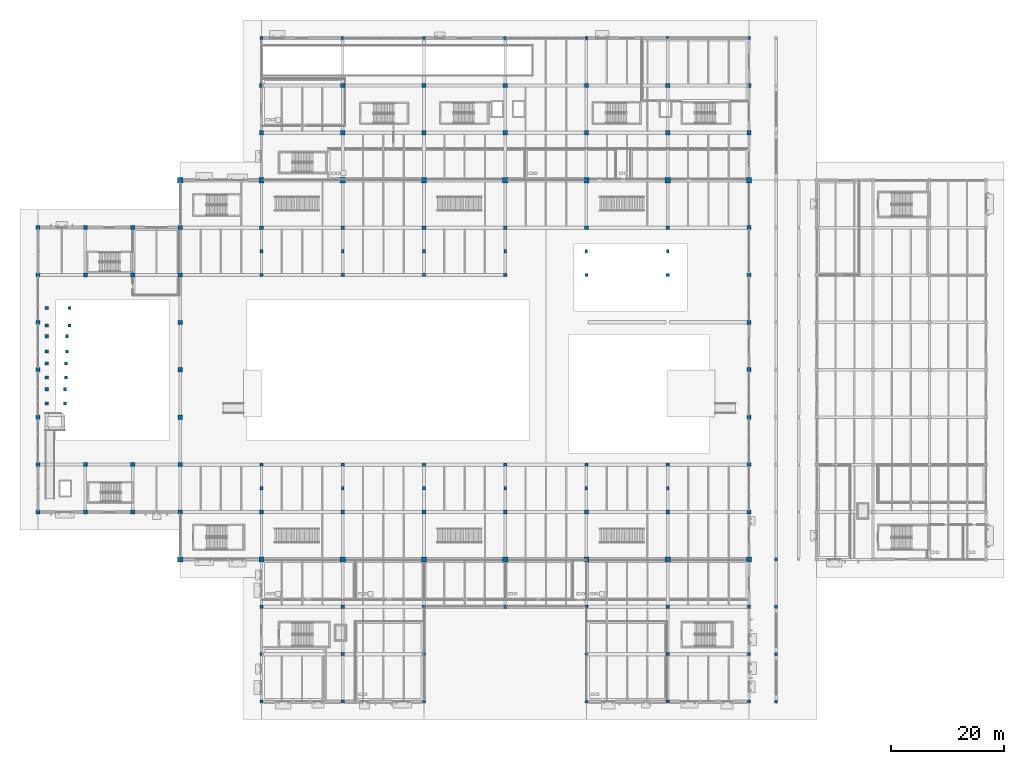
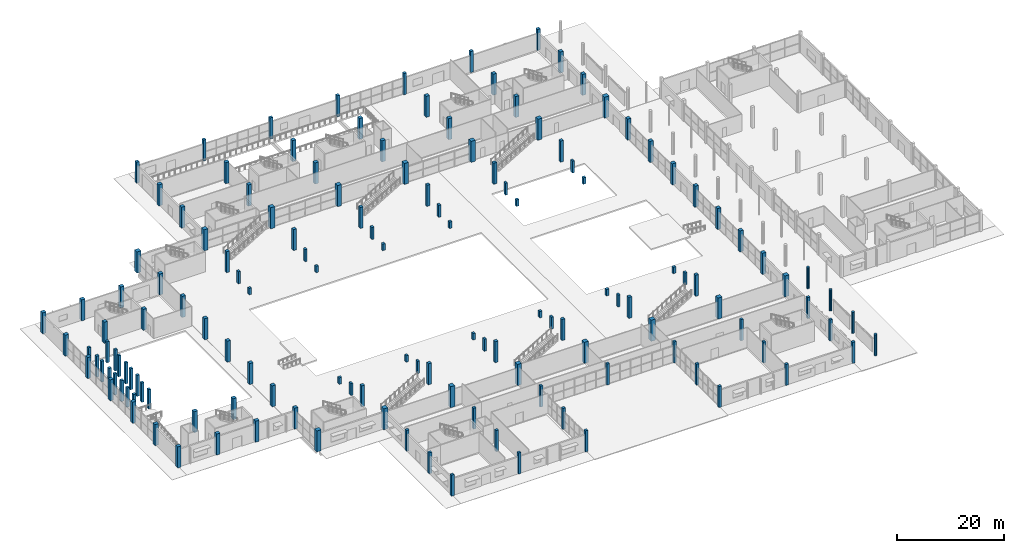
# One storey, part 1 of 130: 141 columns.
"""IFC4 building model written with IfcOpenShell, lengths in metres."""

import ifcopenshell
import ifcopenshell.guid

model = None  # the IFC model being written
_history = None  # IfcOwnerHistory: only IFC2X3 demands one
_inside = {}  # id of a spatial element -> (the spatial element, [elements in it])
_under = {}  # id of a project, library or spatial element -> (it, [spatial elements below it])
_declared = {}  # id of a project -> (the project, [libraries it declares])
_typed = {}  # id of a type object -> (the type object, [elements of that type])
_made_of = {}  # id of a material, layer set ... -> (it, [elements and type objects made of it])


def new_model(schema):
    """Start an empty IFC model of exactly this schema.

    Asked for "IFC4X3", IfcOpenShell would pick the latest addendum, in which some entities
    have other attributes; the version numbers below select the first issue.
    IFC2X3 requires an IfcOwnerHistory on every rooted entity: one is made here for all.
    """
    global model, _history
    if schema == "IFC4X3":
        model = ifcopenshell.file(schema_version=(4, 3, 0, 0))
    else:
        model = ifcopenshell.file(schema=schema)
    _inside.clear()
    _under.clear()
    _declared.clear()
    _typed.clear()
    _made_of.clear()
    _history = None
    if model.schema == "IFC2X3":
        org = make("IfcOrganization", Name="unknown")
        user = make(
            "IfcPersonAndOrganization",
            ThePerson=make("IfcPerson", FamilyName="unknown"),
            TheOrganization=org,
        )
        app = make(
            "IfcApplication",
            ApplicationDeveloper=org,
            Version="unknown",
            ApplicationFullName="unknown",
            ApplicationIdentifier="unknown",
        )
        _history = make(
            "IfcOwnerHistory",
            OwningUser=user,
            OwningApplication=app,
            ChangeAction="ADDED",
            CreationDate=0,
        )
    return model


def make(cls, **values):
    """One entity of the class cls with the attributes given. An attribute that is None is left unset."""
    return model.create_entity(
        cls, **{name: value for name, value in values.items() if value is not None}
    )


def rooted(cls, **values):
    """An entity with a GlobalId (a new one), such as an element, a storey or a relation."""
    return make(cls, GlobalId=ifcopenshell.guid.new(), OwnerHistory=_history, **values)


def si_unit(unit_type, name, prefix=None):
    """IfcSIUnit, for example si_unit("LENGTHUNIT", "METRE", prefix="MILLI")."""
    return make("IfcSIUnit", UnitType=unit_type, Prefix=prefix, Name=name)


def assignment(units):
    """IfcUnitAssignment: the units of a project."""
    return None if units is None else make("IfcUnitAssignment", Units=units)


def point(xyz):
    """IfcCartesianPoint."""
    return None if xyz is None else make("IfcCartesianPoint", Coordinates=xyz)


def direction(xyz):
    """IfcDirection."""
    return None if xyz is None else make("IfcDirection", DirectionRatios=xyz)


def frame(location, z_axis=None, x_axis=None):
    """IfcAxis2Placement3D, a coordinate frame: its origin and axes. An axis left out is left unset."""
    return make(
        "IfcAxis2Placement3D",
        Location=point(location),
        Axis=direction(z_axis),
        RefDirection=direction(x_axis),
    )


def frame_2d(location, x_axis=None):
    """IfcAxis2Placement2D, a coordinate frame in the plane: its origin and x axis."""
    return make(
        "IfcAxis2Placement2D", Location=point(location), RefDirection=direction(x_axis)
    )


def origin():
    """The frame at (0, 0, 0) with its axes left unset."""
    return frame((0.0, 0.0, 0.0))


def origin_2d():
    """The frame at (0, 0) in the plane with its x axis left unset."""
    return frame_2d((0.0, 0.0))


def place(relative_to, where):
    """IfcLocalPlacement: puts the frame where relative to a parent placement (None: the world)."""
    return make(
        "IfcLocalPlacement", PlacementRelTo=relative_to, RelativePlacement=where
    )


def context(
    kind, dimensions, precision=None, world=None, true_north=None, identifier=None
):
    """IfcGeometricRepresentationContext, for example the 3D "Model" context."""
    return make(
        "IfcGeometricRepresentationContext",
        ContextIdentifier=identifier,
        ContextType=kind,
        CoordinateSpaceDimension=dimensions,
        Precision=precision,
        WorldCoordinateSystem=world,
        TrueNorth=true_north,
    )


def subcontext(parent, identifier, kind, view, scale=None):
    """IfcGeometricRepresentationSubContext, for example "Body" below "Model"."""
    return make(
        "IfcGeometricRepresentationSubContext",
        ContextIdentifier=identifier,
        ContextType=kind,
        ParentContext=parent,
        TargetScale=scale,
        TargetView=view,
    )


def project(units=None, contexts=None):
    """IfcProject with its units and contexts."""
    return rooted(
        "IfcProject",
        Name="project",
        RepresentationContexts=contexts,
        UnitsInContext=assignment(units),
    )


def spatial(cls, under=None, at=None, **own):
    """A site, building, storey or space (cls), placed at a placement, below another one or the project."""
    s = rooted(cls, ObjectPlacement=at, **own)
    if under is not None:
        _under.setdefault(under.id(), (under, []))[1].append(s)
    return s


def profile(cls, at=None, kind="AREA", **sizes):
    """A parametric profile (cls). Its sizes go by their IFC names, for example OverallWidth=200.0."""
    return make(cls, ProfileType=kind, Position=at, **sizes)


def rectangle(**sizes):
    """IfcRectangleProfileDef."""
    return profile("IfcRectangleProfileDef", **sizes)


def circle(**sizes):
    """IfcCircleProfileDef."""
    return profile("IfcCircleProfileDef", **sizes)


def extrude(swept, where, along, depth):
    """IfcExtrudedAreaSolid: the profile swept, set in the frame where, extruded along a direction by depth."""
    return make(
        "IfcExtrudedAreaSolid",
        SweptArea=swept,
        Position=where,
        ExtrudedDirection=direction(along),
        Depth=depth,
    )


def shape(context_of_items, identifier, shape_type, items):
    """IfcShapeRepresentation: the items that make up one representation, for example the "Body"."""
    return make(
        "IfcShapeRepresentation",
        ContextOfItems=context_of_items,
        RepresentationIdentifier=identifier,
        RepresentationType=shape_type,
        Items=items,
    )


def material(Name=None, Category=None):
    """IfcMaterial."""
    return make("IfcMaterial", Name=Name, Category=Category)


def material_profile(
    of_material, cross_section, Name=None, Category=None, Priority=None
):
    """IfcMaterialProfile: a cross section and its material."""
    return make(
        "IfcMaterialProfile",
        Name=Name,
        Material=of_material,
        Profile=cross_section,
        Priority=Priority,
        Category=Category,
    )


def profile_set(profiles, Name=None, composite=None):
    """IfcMaterialProfileSet."""
    return make(
        "IfcMaterialProfileSet",
        Name=Name,
        MaterialProfiles=profiles,
        CompositeProfile=composite,
    )


def made_of(thing, what):
    """Note that an element or type object is made of a material, layer set ...; save() writes the relation."""
    if what is not None:
        _made_of.setdefault(what.id(), (what, []))[1].append(thing)
    return thing


def type_object(cls, material=None, **own):
    """A type object (cls), such as IfcWallType, which elements share."""
    return made_of(rooted(cls, **own), material)


def element(
    cls,
    number,
    at=None,
    inside=None,
    cuts=None,
    type_object=None,
    material=None,
    context=None,
    identifier="Body",
    shape_type=None,
    held_by="IfcProductDefinitionShape",
    body=None,
    shapes=None,
    **own,
):
    """One element of the class cls, such as IfcWall. Its Tag is "e" and its number.

    at: its placement. inside: the storey or other place that contains it. cuts: it is an
    opening in that element (IfcRelVoidsElement). A single representation is given by context,
    identifier, shape_type and body (its items); several are given by shapes. held_by: the class
    of the entity that holds the representations. save() writes the other relations.
    """
    e = rooted(cls, Tag="e%d" % number, ObjectPlacement=at, **own)
    if body is not None:
        shapes = [shape(context, identifier, shape_type, body)]
    if shapes is not None:
        e.Representation = make(held_by, Representations=shapes)
    if inside is not None:
        _inside.setdefault(inside.id(), (inside, []))[1].append(e)
    if cuts is not None:
        rooted(
            "IfcRelVoidsElement", RelatingBuildingElement=cuts, RelatedOpeningElement=e
        )
    if type_object is not None:
        _typed.setdefault(type_object.id(), (type_object, []))[1].append(e)
    return made_of(e, material)


def aggregate(whole, parts):
    """IfcRelAggregates: a whole, such as a stair, and the parts it consists of."""
    return rooted("IfcRelAggregates", RelatingObject=whole, RelatedObjects=parts)


def save(model, path):
    """Write the relations noted so far, then the file.

    IfcRelAggregates (storeys below a building ...), IfcRelContainedInSpatialStructure (elements
    in a storey), IfcRelDefinesByType, IfcRelAssociatesMaterial and IfcRelDeclares: one each for
    every whole, place, type object, material and project.
    """
    for whole, parts in _under.values():
        aggregate(whole, parts)
    for where, things in _inside.values():
        rooted(
            "IfcRelContainedInSpatialStructure",
            RelatedElements=things,
            RelatingStructure=where,
        )
    for kind, things in _typed.values():
        rooted("IfcRelDefinesByType", RelatedObjects=things, RelatingType=kind)
    for what, things in _made_of.values():
        rooted("IfcRelAssociatesMaterial", RelatedObjects=things, RelatingMaterial=what)
    for by, libraries in _declared.values():
        rooted("IfcRelDeclares", RelatingContext=by, RelatedDefinitions=libraries)
    model.write(path)


model = new_model("IFC4")

# Units and contexts
model_context = context("Model", 3, precision=1e-05, world=origin(), true_north=direction((0.0, 1.0)))
body_context = subcontext(model_context, "Body", "Model", "MODEL_VIEW")
ifc_project = project(units=[si_unit("LENGTHUNIT", "METRE"), si_unit("AREAUNIT", "SQUARE_METRE"), si_unit("VOLUMEUNIT", "CUBIC_METRE"), si_unit("PLANEANGLEUNIT", "RADIAN"), si_unit("MASSUNIT", "GRAM", prefix="KILO"), si_unit("THERMODYNAMICTEMPERATUREUNIT", "KELVIN")], contexts=[model_context])

# Site, building, storey
site_placement = place(None, origin())
site = spatial("IfcSite", under=ifc_project, at=site_placement, CompositionType="ELEMENT")
building_placement = place(site_placement, origin())
building = spatial("IfcBuilding", under=site, at=building_placement, Name="Nduvali Passage Aquatics Centre", CompositionType="ELEMENT")
storey_placement = place(building_placement, origin())
storey = spatial("IfcBuildingStorey", under=building, at=storey_placement, Name="L00", CompositionType="ELEMENT", Elevation=0.0)

# Columns
ifc_material = material(Name="Concrete C40/50", Category="concrete")
ifc_material_profile_1 = material_profile(ifc_material, rectangle(XDim=0.449951171875, YDim=0.64990234375, at=origin_2d()), Name="RC 450x650")
ifc_profile_set_1 = profile_set([ifc_material_profile_1], Name="Concrete C40/50")
column_type_1 = type_object("IfcColumnType", Name="STR-COL-RC4565", PredefinedType="COLUMN", material=ifc_profile_set_1)
for number, where, z_axis, x_axis, name in (
    (1, (39.60009765625, 37.800048828125, 0.0), (0.0, 0.0, 1.0), (1.0, 0.0, 0.0), "L00 Column C5 (39.6, 37.8)"),
    (2, (39.60009765625, 79.800048828125, 0.0), (0.0, 0.0, 1.0), (1.0, 0.0, 0.0), "L00 Column C5 (39.6, 79.8)"),
    (3, (54.0, 37.800048828125, 0.0), (0.0, 0.0, 1.0), (1.0, 0.0, 0.0), "L00 Column C5 (54.0, 37.8)"),
    (4, (54.0, 79.800048828125, 0.0), (0.0, 0.0, 1.0), (1.0, 0.0, 0.0), "L00 Column C5 (54.0, 79.8)"),
    (5, (68.39990234375, 37.800048828125, 0.0), (0.0, 0.0, 1.0), (1.0, 0.0, 0.0), "L00 Column C5 (68.4, 37.8)"),
    (6, (68.39990234375, 79.800048828125, 0.0), (0.0, 0.0, 1.0), (1.0, 0.0, 0.0), "L00 Column C5 (68.4, 79.8)"),
    (7, (82.800048828125, 37.800048828125, 0.0), (0.0, 0.0, 1.0), (1.0, 0.0, 0.0), "L00 Column C5 (82.8, 37.8)"),
    (8, (82.800048828125, 79.800048828125, 0.0), (0.0, 0.0, 1.0), (1.0, 0.0, 0.0), "L00 Column C5 (82.8, 79.8)"),
    (9, (97.199951171875, 37.800048828125, 0.0), (0.0, 0.0, 1.0), (1.0, 0.0, 0.0), "L00 Column C5 (97.2, 37.8)"),
    (10, (97.199951171875, 79.800048828125, 0.0), (0.0, 0.0, 1.0), (1.0, 0.0, 0.0), "L00 Column C5 (97.2, 79.8)"),
    (11, (111.60009765625, 37.800048828125, 0.0), (0.0, 0.0, 1.0), (1.0, 0.0, 0.0), "L00 Column C5 (111.6, 37.8)"),
    (12, (111.60009765625, 79.800048828125, 0.0), (0.0, 0.0, 1.0), (1.0, 0.0, 0.0), "L00 Column C5 (111.6, 79.8)"),
):
    element("IfcColumn", number, at=place(storey_placement, frame(where, z_axis=z_axis, x_axis=x_axis)), inside=storey, type_object=column_type_1, Name=name, PredefinedType="COLUMN", context=body_context, shape_type="SweptSolid", body=[
        extrude(rectangle(XDim=0.449951171875, YDim=0.64990234375, at=origin_2d()), origin(), (0.0, 0.0, 1.0), 2.75),
    ])
ifc_material_profile_2 = material_profile(ifc_material, rectangle(XDim=0.550048828125, YDim=0.550048828125, at=origin_2d()), Name="RC 550x550")
ifc_profile_set_2 = profile_set([ifc_material_profile_2], Name="Concrete C40/50")
column_type_2 = type_object("IfcColumnType", Name="STR-COL-RC550", PredefinedType="COLUMN", material=ifc_profile_set_2)
for number, where, z_axis, x_axis, name in (
    (13, (1.550048828125, 52.85009765625, 0.0), (0.0, 0.0, 1.0), (1.0, 0.0, 0.0), "L00 Column C4 (1.6, 52.9)"),
    (14, (1.550048828125, 55.35009765625, 0.0), (0.0, 0.0, 1.0), (1.0, 0.0, 0.0), "L00 Column C4 (1.6, 55.4)"),
):
    element("IfcColumn", number, at=place(storey_placement, frame(where, z_axis=z_axis, x_axis=x_axis)), inside=storey, type_object=column_type_2, Name=name, PredefinedType="COLUMN", context=body_context, shape_type="SweptSolid", body=[
        extrude(rectangle(XDim=0.550048828125, YDim=0.550048828125, at=origin_2d()), origin(), (0.0, 0.0, 1.0), 4.419921875),
    ])
for number, where, z_axis, x_axis, name in (
    (15, (1.550048828125, 57.449951171875, 0.0), (0.0, 0.0, 1.0), (1.0, 0.0, 0.0), "L00 Column C4 (1.6, 57.5)"),
    (16, (1.550048828125, 59.949951171875, 0.0), (0.0, 0.0, 1.0), (1.0, 0.0, 0.0), "L00 Column C4 (1.6, 60.0)"),
    (17, (1.550048828125, 62.050048828125, 0.0), (0.0, 0.0, 1.0), (1.0, 0.0, 0.0), "L00 Column C4 (1.6, 62.0)"),
    (18, (1.550048828125, 64.75, 0.0), (0.0, 0.0, 1.0), (1.0, 0.0, 0.0), "L00 Column C4 (1.6, 64.8)"),
    (19, (1.550048828125, 66.64990234375, 0.0), (0.0, 0.0, 1.0), (1.0, 0.0, 0.0), "L00 Column C4 (1.6, 66.7)"),
    (20, (1.550048828125, 69.75, 0.0), (0.0, 0.0, 1.0), (1.0, 0.0, 0.0), "L00 Column C4 (1.6, 69.8)"),
):
    element("IfcColumn", number, at=place(storey_placement, frame(where, z_axis=z_axis, x_axis=x_axis)), inside=storey, type_object=column_type_2, Name=name, PredefinedType="COLUMN", context=body_context, shape_type="SweptSolid", body=[
        extrude(rectangle(XDim=0.550048828125, YDim=0.550048828125, at=origin_2d()), origin(), (0.0, 0.0, 1.0), 4.800048828125),
    ])
for number, where, z_axis, x_axis, name in (
    (21, (4.75, 52.85009765625, 0.0), (0.0, 0.0, 1.0), (1.0, 0.0, 0.0), "L00 Column C4 (4.8, 52.9)"),
    (22, (4.75, 55.35009765625, 0.0), (0.0, 0.0, 1.0), (1.0, 0.0, 0.0), "L00 Column C4 (4.8, 55.4)"),
):
    element("IfcColumn", number, at=place(storey_placement, frame(where, z_axis=z_axis, x_axis=x_axis)), inside=storey, type_object=column_type_2, Name=name, PredefinedType="COLUMN", context=body_context, shape_type="SweptSolid", body=[
        extrude(rectangle(XDim=0.550048828125, YDim=0.550048828125, at=origin_2d()), origin(), (0.0, 0.0, 1.0), 4.419921875),
    ])
for number, where, z_axis, x_axis, name in (
    (23, (4.949951171875, 57.449951171875, 0.0), (0.0, 0.0, 1.0), (1.0, 0.0, 0.0), "L00 Column C4 (5.0, 57.5)"),
    (24, (4.949951171875, 59.949951171875, 0.0), (0.0, 0.0, 1.0), (1.0, 0.0, 0.0), "L00 Column C4 (5.0, 60.0)"),
    (25, (5.14990234375, 62.050048828125, 0.0), (0.0, 0.0, 1.0), (1.0, 0.0, 0.0), "L00 Column C4 (5.2, 62.0)"),
    (26, (5.14990234375, 64.75, 0.0), (0.0, 0.0, 1.0), (1.0, 0.0, 0.0), "L00 Column C4 (5.2, 64.8)"),
    (27, (5.550048828125, 66.64990234375, 0.0), (0.0, 0.0, 1.0), (1.0, 0.0, 0.0), "L00 Column C4 (5.5, 66.7)"),
    (28, (5.550048828125, 69.75, 0.0), (0.0, 0.0, 1.0), (1.0, 0.0, 0.0), "L00 Column C4 (5.5, 69.8)"),
):
    element("IfcColumn", number, at=place(storey_placement, frame(where, z_axis=z_axis, x_axis=x_axis)), inside=storey, type_object=column_type_2, Name=name, PredefinedType="COLUMN", context=body_context, shape_type="SweptSolid", body=[
        extrude(rectangle(XDim=0.550048828125, YDim=0.550048828125, at=origin_2d()), origin(), (0.0, 0.0, 1.0), 4.800048828125),
    ])
for number, where, z_axis, x_axis, name in (
    (29, (39.60009765625, 42.0, 0.0), (0.0, 0.0, 1.0), (1.0, 0.0, 0.0), "L00 Column C4 (39.6, 42.0)"),
    (30, (39.60009765625, 75.60009765625, 0.0), (0.0, 0.0, 1.0), (1.0, 0.0, 0.0), "L00 Column C4 (39.6, 75.6)"),
):
    element("IfcColumn", number, at=place(storey_placement, frame(where, z_axis=z_axis, x_axis=x_axis)), inside=storey, type_object=column_type_2, Name=name, PredefinedType="COLUMN", context=body_context, shape_type="SweptSolid", body=[
        extrude(rectangle(XDim=0.550048828125, YDim=0.550048828125, at=origin_2d()), origin(), (0.0, 0.0, 1.0), 1.47998046875),
    ])
for number, where, z_axis, x_axis, name in (
    (31, (54.0, 8.39990234375, 0.0), (0.0, 0.0, 1.0), (1.0, 0.0, 0.0), "L00 Column C4 (54.0, 8.4)"),
    (32, (54.0, 16.800048828125, 0.0), (0.0, 0.0, 1.0), (1.0, 0.0, 0.0), "L00 Column C4 (54.0, 16.8)"),
):
    element("IfcColumn", number, at=place(storey_placement, frame(where, z_axis=z_axis, x_axis=x_axis)), inside=storey, type_object=column_type_2, Name=name, PredefinedType="COLUMN", context=body_context, shape_type="SweptSolid", body=[
        extrude(rectangle(XDim=0.550048828125, YDim=0.550048828125, at=origin_2d()), origin(), (0.0, 0.0, 1.0), 4.800048828125),
    ])
for number, where, z_axis, x_axis, name in (
    (33, (54.0, 42.0, 0.0), (0.0, 0.0, 1.0), (1.0, 0.0, 0.0), "L00 Column C4 (54.0, 42.0)"),
    (34, (54.0, 75.60009765625, 0.0), (0.0, 0.0, 1.0), (1.0, 0.0, 0.0), "L00 Column C4 (54.0, 75.6)"),
    (35, (68.39990234375, 42.0, 0.0), (0.0, 0.0, 1.0), (1.0, 0.0, 0.0), "L00 Column C4 (68.4, 42.0)"),
    (36, (68.39990234375, 75.60009765625, 0.0), (0.0, 0.0, 1.0), (1.0, 0.0, 0.0), "L00 Column C4 (68.4, 75.6)"),
    (37, (82.800048828125, 42.0, 0.0), (0.0, 0.0, 1.0), (1.0, 0.0, 0.0), "L00 Column C4 (82.8, 42.0)"),
    (38, (82.800048828125, 75.60009765625, 0.0), (0.0, 0.0, 1.0), (1.0, 0.0, 0.0), "L00 Column C4 (82.8, 75.6)"),
    (39, (97.199951171875, 42.0, 0.0), (0.0, 0.0, 1.0), (1.0, 0.0, 0.0), "L00 Column C4 (97.2, 42.0)"),
    (40, (97.199951171875, 75.60009765625, 0.0), (0.0, 0.0, 1.0), (1.0, 0.0, 0.0), "L00 Column C4 (97.2, 75.6)"),
):
    element("IfcColumn", number, at=place(storey_placement, frame(where, z_axis=z_axis, x_axis=x_axis)), inside=storey, type_object=column_type_2, Name=name, PredefinedType="COLUMN", context=body_context, shape_type="SweptSolid", body=[
        extrude(rectangle(XDim=0.550048828125, YDim=0.550048828125, at=origin_2d()), origin(), (0.0, 0.0, 1.0), 1.47998046875),
    ])
for number, where, z_axis, x_axis, name in (
    (41, (111.60009765625, 8.39990234375, 0.0), (0.0, 0.0, 1.0), (1.0, 0.0, 0.0), "L00 Column C4 (111.6, 8.4)"),
    (42, (111.60009765625, 16.800048828125, 0.0), (0.0, 0.0, 1.0), (1.0, 0.0, 0.0), "L00 Column C4 (111.6, 16.8)"),
):
    element("IfcColumn", number, at=place(storey_placement, frame(where, z_axis=z_axis, x_axis=x_axis)), inside=storey, type_object=column_type_2, Name=name, PredefinedType="COLUMN", context=body_context, shape_type="SweptSolid", body=[
        extrude(rectangle(XDim=0.550048828125, YDim=0.550048828125, at=origin_2d()), origin(), (0.0, 0.0, 1.0), 4.800048828125),
    ])
for number, where, z_axis, x_axis, name in (
    (43, (111.60009765625, 42.0, 0.0), (0.0, 0.0, 1.0), (1.0, 0.0, 0.0), "L00 Column C4 (111.6, 42.0)"),
    (44, (111.60009765625, 75.60009765625, 0.0), (0.0, 0.0, 1.0), (1.0, 0.0, 0.0), "L00 Column C4 (111.6, 75.6)"),
):
    element("IfcColumn", number, at=place(storey_placement, frame(where, z_axis=z_axis, x_axis=x_axis)), inside=storey, type_object=column_type_2, Name=name, PredefinedType="COLUMN", context=body_context, shape_type="SweptSolid", body=[
        extrude(rectangle(XDim=0.550048828125, YDim=0.550048828125, at=origin_2d()), origin(), (0.0, 0.0, 1.0), 1.47998046875),
    ])
ifc_material_profile_3 = material_profile(ifc_material, rectangle(XDim=0.550048828125, YDim=0.550048828125, at=origin_2d()), Name="RC 550x550")
ifc_profile_set_3 = profile_set([ifc_material_profile_3], Name="Concrete C40/50")
column_type_3 = type_object("IfcColumnType", Name="STR-COL-RC550-EXT", PredefinedType="COLUMN", material=ifc_profile_set_3)
for number, where, z_axis, x_axis, name in (
    (45, (39.60009765625, 0.0, 0.0), (0.0, 0.0, 1.0), (1.0, 0.0, 0.0), "L00 Column C4E (39.6, 0.0)"),
    (46, (39.60009765625, 8.39990234375, 0.0), (0.0, 0.0, 1.0), (1.0, 0.0, 0.0), "L00 Column C4E (39.6, 8.4)"),
    (47, (39.60009765625, 16.800048828125, 0.0), (0.0, 0.0, 1.0), (1.0, 0.0, 0.0), "L00 Column C4E (39.6, 16.8)"),
    (48, (54.0, 0.0, 0.0), (0.0, 0.0, 1.0), (1.0, 0.0, 0.0), "L00 Column C4E (54.0, 0.0)"),
    (49, (68.39990234375, 0.0, 0.0), (0.0, 0.0, 1.0), (1.0, 0.0, 0.0), "L00 Column C4E (68.4, 0.0)"),
    (50, (68.39990234375, 8.39990234375, 0.0), (0.0, 0.0, 1.0), (1.0, 0.0, 0.0), "L00 Column C4E (68.4, 8.4)"),
    (51, (68.39990234375, 16.800048828125, 0.0), (0.0, 0.0, 1.0), (1.0, 0.0, 0.0), "L00 Column C4E (68.4, 16.8)"),
    (52, (82.800048828125, 16.800048828125, 0.0), (0.0, 0.0, 1.0), (1.0, 0.0, 0.0), "L00 Column C4E (82.8, 16.8)"),
    (53, (97.199951171875, 0.0, 0.0), (0.0, 0.0, 1.0), (1.0, 0.0, 0.0), "L00 Column C4E (97.2, 0.0)"),
    (54, (97.199951171875, 8.39990234375, 0.0), (0.0, 0.0, 1.0), (1.0, 0.0, 0.0), "L00 Column C4E (97.2, 8.4)"),
    (55, (97.199951171875, 16.800048828125, 0.0), (0.0, 0.0, 1.0), (1.0, 0.0, 0.0), "L00 Column C4E (97.2, 16.8)"),
    (56, (111.60009765625, 0.0, 0.0), (0.0, 0.0, 1.0), (1.0, 0.0, 0.0), "L00 Column C4E (111.6, 0.0)"),
    (57, (126.0, 0.0, 0.0), (0.0, 0.0, 1.0), (1.0, 0.0, 0.0), "L00 Column C4E (126.0, 0.0)"),
    (58, (126.0, 8.39990234375, 0.0), (0.0, 0.0, 1.0), (1.0, 0.0, 0.0), "L00 Column C4E (126.0, 8.4)"),
    (59, (126.0, 16.800048828125, 0.0), (0.0, 0.0, 1.0), (1.0, 0.0, 0.0), "L00 Column C4E (126.0, 16.8)"),
):
    element("IfcColumn", number, at=place(storey_placement, frame(where, z_axis=z_axis, x_axis=x_axis)), inside=storey, type_object=column_type_3, Name=name, PredefinedType="COLUMN", context=body_context, shape_type="SweptSolid", body=[
        extrude(rectangle(XDim=0.550048828125, YDim=0.550048828125, at=origin_2d()), origin(), (0.0, 0.0, 1.0), 4.800048828125),
    ])
ifc_material_profile_4 = material_profile(ifc_material, rectangle(XDim=0.60009765625, YDim=0.60009765625, at=origin_2d()), Name="RC 600x600")
ifc_profile_set_4 = profile_set([ifc_material_profile_4], Name="Concrete C40/50")
column_type_4 = type_object("IfcColumnType", Name="STR-COL-RC600-EXT", PredefinedType="COLUMN", material=ifc_profile_set_4)
for number, where, z_axis, x_axis, name in (
    (60, (39.60009765625, 117.60009765625, 0.0), (0.0, 0.0, 1.0), (1.0, 0.0, 0.0), "L00 Column C3AE (39.6, 117.6)"),
    (61, (54.0, 117.60009765625, 0.0), (0.0, 0.0, 1.0), (1.0, 0.0, 0.0), "L00 Column C3AE (54.0, 117.6)"),
    (62, (68.39990234375, 117.60009765625, 0.0), (0.0, 0.0, 1.0), (1.0, 0.0, 0.0), "L00 Column C3AE (68.4, 117.6)"),
    (63, (82.800048828125, 117.60009765625, 0.0), (0.0, 0.0, 1.0), (1.0, 0.0, 0.0), "L00 Column C3AE (82.8, 117.6)"),
    (64, (97.199951171875, 117.60009765625, 0.0), (0.0, 0.0, 1.0), (1.0, 0.0, 0.0), "L00 Column C3AE (97.2, 117.6)"),
    (65, (111.60009765625, 117.60009765625, 0.0), (0.0, 0.0, 1.0), (1.0, 0.0, 0.0), "L00 Column C3AE (111.6, 117.6)"),
    (66, (126.0, 117.60009765625, 0.0), (0.0, 0.0, 1.0), (1.0, 0.0, 0.0), "L00 Column C3AE (126.0, 117.6)"),
):
    element("IfcColumn", number, at=place(storey_placement, frame(where, z_axis=z_axis, x_axis=x_axis)), inside=storey, type_object=column_type_4, Name=name, PredefinedType="COLUMN", context=body_context, shape_type="SweptSolid", body=[
        extrude(rectangle(XDim=0.60009765625, YDim=0.60009765625, at=origin_2d()), origin(), (0.0, 0.0, 1.0), 4.800048828125),
    ])
ifc_material_profile_5 = material_profile(ifc_material, rectangle(XDim=0.64990234375, YDim=0.64990234375, at=origin_2d()), Name="RC 650x650")
ifc_profile_set_5 = profile_set([ifc_material_profile_5], Name="Concrete C40/50")
column_type_5 = type_object("IfcColumnType", Name="STR-COL-RC650", PredefinedType="COLUMN", material=ifc_profile_set_5)
for number, where, z_axis, x_axis, name in (
    (67, (39.60009765625, 33.60009765625, 0.0), (0.0, 0.0, 1.0), (1.0, 0.0, 0.0), "L00 Column C3 (39.6, 33.6)"),
    (68, (39.60009765625, 84.0, 0.0), (0.0, 0.0, 1.0), (1.0, 0.0, 0.0), "L00 Column C3 (39.6, 84.0)"),
    (69, (54.0, 33.60009765625, 0.0), (0.0, 0.0, 1.0), (1.0, 0.0, 0.0), "L00 Column C3 (54.0, 33.6)"),
    (70, (54.0, 84.0, 0.0), (0.0, 0.0, 1.0), (1.0, 0.0, 0.0), "L00 Column C3 (54.0, 84.0)"),
    (71, (68.39990234375, 33.60009765625, 0.0), (0.0, 0.0, 1.0), (1.0, 0.0, 0.0), "L00 Column C3 (68.4, 33.6)"),
    (72, (68.39990234375, 84.0, 0.0), (0.0, 0.0, 1.0), (1.0, 0.0, 0.0), "L00 Column C3 (68.4, 84.0)"),
    (73, (82.800048828125, 33.60009765625, 0.0), (0.0, 0.0, 1.0), (1.0, 0.0, 0.0), "L00 Column C3 (82.8, 33.6)"),
    (74, (82.800048828125, 84.0, 0.0), (0.0, 0.0, 1.0), (1.0, 0.0, 0.0), "L00 Column C3 (82.8, 84.0)"),
    (75, (97.199951171875, 33.60009765625, 0.0), (0.0, 0.0, 1.0), (1.0, 0.0, 0.0), "L00 Column C3 (97.2, 33.6)"),
    (76, (97.199951171875, 84.0, 0.0), (0.0, 0.0, 1.0), (1.0, 0.0, 0.0), "L00 Column C3 (97.2, 84.0)"),
    (77, (111.60009765625, 33.60009765625, 0.0), (0.0, 0.0, 1.0), (1.0, 0.0, 0.0), "L00 Column C3 (111.6, 33.6)"),
    (78, (111.60009765625, 84.0, 0.0), (0.0, 0.0, 1.0), (1.0, 0.0, 0.0), "L00 Column C3 (111.6, 84.0)"),
):
    element("IfcColumn", number, at=place(storey_placement, frame(where, z_axis=z_axis, x_axis=x_axis)), inside=storey, type_object=column_type_5, Name=name, PredefinedType="COLUMN", context=body_context, shape_type="SweptSolid", body=[
        extrude(rectangle(XDim=0.64990234375, YDim=0.64990234375, at=origin_2d()), origin(), (0.0, 0.0, 1.0), 4.800048828125),
    ])
ifc_material_profile_6 = material_profile(ifc_material, rectangle(XDim=0.75, YDim=0.75, at=origin_2d()), Name="RC 750x750")
ifc_profile_set_6 = profile_set([ifc_material_profile_6], Name="Concrete C40/50")
column_type_6 = type_object("IfcColumnType", Name="STR-COL-RC750", PredefinedType="COLUMN", material=ifc_profile_set_6)
for number, where, z_axis, x_axis, name in (
    (79, (8.39990234375, 42.0, 0.0), (0.0, 0.0, 1.0), (1.0, 0.0, 0.0), "L00 Column C2 (8.4, 42.0)"),
    (80, (8.39990234375, 75.60009765625, 0.0), (0.0, 0.0, 1.0), (1.0, 0.0, 0.0), "L00 Column C2 (8.4, 75.6)"),
    (81, (16.800048828125, 42.0, 0.0), (0.0, 0.0, 1.0), (1.0, 0.0, 0.0), "L00 Column C2 (16.8, 42.0)"),
    (82, (16.800048828125, 75.60009765625, 0.0), (0.0, 0.0, 1.0), (1.0, 0.0, 0.0), "L00 Column C2 (16.8, 75.6)"),
    (83, (25.199951171875, 33.60009765625, 0.0), (0.0, 0.0, 1.0), (1.0, 0.0, 0.0), "L00 Column C2 (25.2, 33.6)"),
    (84, (25.199951171875, 42.0, 0.0), (0.0, 0.0, 1.0), (1.0, 0.0, 0.0), "L00 Column C2 (25.2, 42.0)"),
    (85, (25.199951171875, 50.39990234375, 0.0), (0.0, 0.0, 1.0), (1.0, 0.0, 0.0), "L00 Column C2 (25.2, 50.4)"),
    (86, (25.199951171875, 58.800048828125, 0.0), (0.0, 0.0, 1.0), (1.0, 0.0, 0.0), "L00 Column C2 (25.2, 58.8)"),
    (87, (25.199951171875, 67.199951171875, 0.0), (0.0, 0.0, 1.0), (1.0, 0.0, 0.0), "L00 Column C2 (25.2, 67.2)"),
    (88, (25.199951171875, 75.60009765625, 0.0), (0.0, 0.0, 1.0), (1.0, 0.0, 0.0), "L00 Column C2 (25.2, 75.6)"),
    (89, (25.199951171875, 84.0, 0.0), (0.0, 0.0, 1.0), (1.0, 0.0, 0.0), "L00 Column C2 (25.2, 84.0)"),
    (90, (54.0, 100.800048828125, 0.0), (0.0, 0.0, 1.0), (1.0, 0.0, 0.0), "L00 Column C2 (54.0, 100.8)"),
    (91, (54.0, 109.199951171875, 0.0), (0.0, 0.0, 1.0), (1.0, 0.0, 0.0), "L00 Column C2 (54.0, 109.2)"),
    (92, (68.39990234375, 100.800048828125, 0.0), (0.0, 0.0, 1.0), (1.0, 0.0, 0.0), "L00 Column C2 (68.4, 100.8)"),
    (93, (68.39990234375, 109.199951171875, 0.0), (0.0, 0.0, 1.0), (1.0, 0.0, 0.0), "L00 Column C2 (68.4, 109.2)"),
    (94, (82.800048828125, 100.800048828125, 0.0), (0.0, 0.0, 1.0), (1.0, 0.0, 0.0), "L00 Column C2 (82.8, 100.8)"),
    (95, (82.800048828125, 109.199951171875, 0.0), (0.0, 0.0, 1.0), (1.0, 0.0, 0.0), "L00 Column C2 (82.8, 109.2)"),
    (96, (97.199951171875, 100.800048828125, 0.0), (0.0, 0.0, 1.0), (1.0, 0.0, 0.0), "L00 Column C2 (97.2, 100.8)"),
    (97, (97.199951171875, 109.199951171875, 0.0), (0.0, 0.0, 1.0), (1.0, 0.0, 0.0), "L00 Column C2 (97.2, 109.2)"),
    (98, (111.60009765625, 100.800048828125, 0.0), (0.0, 0.0, 1.0), (1.0, 0.0, 0.0), "L00 Column C2 (111.6, 100.8)"),
    (99, (111.60009765625, 109.199951171875, 0.0), (0.0, 0.0, 1.0), (1.0, 0.0, 0.0), "L00 Column C2 (111.6, 109.2)"),
):
    element("IfcColumn", number, at=place(storey_placement, frame(where, z_axis=z_axis, x_axis=x_axis)), inside=storey, type_object=column_type_6, Name=name, PredefinedType="COLUMN", context=body_context, shape_type="SweptSolid", body=[
        extrude(rectangle(XDim=0.75, YDim=0.75, at=origin_2d()), origin(), (0.0, 0.0, 1.0), 4.800048828125),
    ])
ifc_material_profile_7 = material_profile(ifc_material, rectangle(XDim=0.75, YDim=0.75, at=origin_2d()), Name="RC 750x750")
ifc_profile_set_7 = profile_set([ifc_material_profile_7], Name="Concrete C40/50")
column_type_7 = type_object("IfcColumnType", Name="STR-COL-RC750-EXT", PredefinedType="COLUMN", material=ifc_profile_set_7)
for number, where, z_axis, x_axis, name in (
    (100, (0.0, 33.60009765625, 0.0), (0.0, 0.0, 1.0), (1.0, 0.0, 0.0), "L00 Column C2E (0.0, 33.6)"),
    (101, (0.0, 42.0, 0.0), (0.0, 0.0, 1.0), (1.0, 0.0, 0.0), "L00 Column C2E (0.0, 42.0)"),
    (102, (0.0, 50.39990234375, 0.0), (0.0, 0.0, 1.0), (1.0, 0.0, 0.0), "L00 Column C2E (0.0, 50.4)"),
    (103, (0.0, 58.800048828125, 0.0), (0.0, 0.0, 1.0), (1.0, 0.0, 0.0), "L00 Column C2E (0.0, 58.8)"),
    (104, (0.0, 67.199951171875, 0.0), (0.0, 0.0, 1.0), (1.0, 0.0, 0.0), "L00 Column C2E (0.0, 67.2)"),
    (105, (0.0, 75.60009765625, 0.0), (0.0, 0.0, 1.0), (1.0, 0.0, 0.0), "L00 Column C2E (0.0, 75.6)"),
    (106, (0.0, 84.0, 0.0), (0.0, 0.0, 1.0), (1.0, 0.0, 0.0), "L00 Column C2E (0.0, 84.0)"),
    (107, (8.39990234375, 33.60009765625, 0.0), (0.0, 0.0, 1.0), (1.0, 0.0, 0.0), "L00 Column C2E (8.4, 33.6)"),
    (108, (8.39990234375, 84.0, 0.0), (0.0, 0.0, 1.0), (1.0, 0.0, 0.0), "L00 Column C2E (8.4, 84.0)"),
    (109, (16.800048828125, 33.60009765625, 0.0), (0.0, 0.0, 1.0), (1.0, 0.0, 0.0), "L00 Column C2E (16.8, 33.6)"),
    (110, (16.800048828125, 84.0, 0.0), (0.0, 0.0, 1.0), (1.0, 0.0, 0.0), "L00 Column C2E (16.8, 84.0)"),
    (111, (39.60009765625, 100.800048828125, 0.0), (0.0, 0.0, 1.0), (1.0, 0.0, 0.0), "L00 Column C2E (39.6, 100.8)"),
    (112, (39.60009765625, 109.199951171875, 0.0), (0.0, 0.0, 1.0), (1.0, 0.0, 0.0), "L00 Column C2E (39.6, 109.2)"),
    (113, (126.0, 33.60009765625, 0.0), (0.0, 0.0, 1.0), (1.0, 0.0, 0.0), "L00 Column C2E (126.0, 33.6)"),
    (114, (126.0, 42.0, 0.0), (0.0, 0.0, 1.0), (1.0, 0.0, 0.0), "L00 Column C2E (126.0, 42.0)"),
    (115, (126.0, 50.39990234375, 0.0), (0.0, 0.0, 1.0), (1.0, 0.0, 0.0), "L00 Column C2E (126.0, 50.4)"),
    (116, (126.0, 58.800048828125, 0.0), (0.0, 0.0, 1.0), (1.0, 0.0, 0.0), "L00 Column C2E (126.0, 58.8)"),
    (117, (126.0, 67.199951171875, 0.0), (0.0, 0.0, 1.0), (1.0, 0.0, 0.0), "L00 Column C2E (126.0, 67.2)"),
    (118, (126.0, 75.60009765625, 0.0), (0.0, 0.0, 1.0), (1.0, 0.0, 0.0), "L00 Column C2E (126.0, 75.6)"),
    (119, (126.0, 84.0, 0.0), (0.0, 0.0, 1.0), (1.0, 0.0, 0.0), "L00 Column C2E (126.0, 84.0)"),
    (120, (126.0, 100.800048828125, 0.0), (0.0, 0.0, 1.0), (1.0, 0.0, 0.0), "L00 Column C2E (126.0, 100.8)"),
    (121, (126.0, 109.199951171875, 0.0), (0.0, 0.0, 1.0), (1.0, 0.0, 0.0), "L00 Column C2E (126.0, 109.2)"),
):
    element("IfcColumn", number, at=place(storey_placement, frame(where, z_axis=z_axis, x_axis=x_axis)), inside=storey, type_object=column_type_7, Name=name, PredefinedType="COLUMN", context=body_context, shape_type="SweptSolid", body=[
        extrude(rectangle(XDim=0.75, YDim=0.75, at=origin_2d()), origin(), (0.0, 0.0, 1.0), 4.800048828125),
    ])
ifc_material_profile_8 = material_profile(ifc_material, rectangle(XDim=0.89990234375, YDim=0.89990234375, at=origin_2d()), Name="RC 900x900")
ifc_profile_set_8 = profile_set([ifc_material_profile_8], Name="Concrete C40/50")
column_type_8 = type_object("IfcColumnType", Name="STR-COL-RC900-EXT", PredefinedType="COLUMN", material=ifc_profile_set_8)
for number, where, z_axis, x_axis, name in (
    (122, (25.199951171875, 25.199951171875, 0.0), (0.0, 0.0, 1.0), (1.0, 0.0, 0.0), "L00 Column C1E (25.2, 25.2)"),
    (123, (25.199951171875, 92.39990234375, 0.0), (0.0, 0.0, 1.0), (1.0, 0.0, 0.0), "L00 Column C1E (25.2, 92.4)"),
    (124, (39.60009765625, 25.199951171875, 0.0), (0.0, 0.0, 1.0), (1.0, 0.0, 0.0), "L00 Column C1E (39.6, 25.2)"),
    (125, (39.60009765625, 92.39990234375, 0.0), (0.0, 0.0, 1.0), (1.0, 0.0, 0.0), "L00 Column C1E (39.6, 92.4)"),
    (126, (54.0, 25.199951171875, 0.0), (0.0, 0.0, 1.0), (1.0, 0.0, 0.0), "L00 Column C1E (54.0, 25.2)"),
    (127, (54.0, 92.39990234375, 0.0), (0.0, 0.0, 1.0), (1.0, 0.0, 0.0), "L00 Column C1E (54.0, 92.4)"),
    (128, (68.39990234375, 25.199951171875, 0.0), (0.0, 0.0, 1.0), (1.0, 0.0, 0.0), "L00 Column C1E (68.4, 25.2)"),
    (129, (68.39990234375, 92.39990234375, 0.0), (0.0, 0.0, 1.0), (1.0, 0.0, 0.0), "L00 Column C1E (68.4, 92.4)"),
    (130, (82.800048828125, 25.199951171875, 0.0), (0.0, 0.0, 1.0), (1.0, 0.0, 0.0), "L00 Column C1E (82.8, 25.2)"),
    (131, (82.800048828125, 92.39990234375, 0.0), (0.0, 0.0, 1.0), (1.0, 0.0, 0.0), "L00 Column C1E (82.8, 92.4)"),
    (132, (97.199951171875, 25.199951171875, 0.0), (0.0, 0.0, 1.0), (1.0, 0.0, 0.0), "L00 Column C1E (97.2, 25.2)"),
    (133, (97.199951171875, 92.39990234375, 0.0), (0.0, 0.0, 1.0), (1.0, 0.0, 0.0), "L00 Column C1E (97.2, 92.4)"),
    (134, (111.60009765625, 25.199951171875, 0.0), (0.0, 0.0, 1.0), (1.0, 0.0, 0.0), "L00 Column C1E (111.6, 25.2)"),
    (135, (111.60009765625, 92.39990234375, 0.0), (0.0, 0.0, 1.0), (1.0, 0.0, 0.0), "L00 Column C1E (111.6, 92.4)"),
    (136, (126.0, 25.199951171875, 0.0), (0.0, 0.0, 1.0), (1.0, 0.0, 0.0), "L00 Column C1E (126.0, 25.2)"),
    (137, (126.0, 92.39990234375, 0.0), (0.0, 0.0, 1.0), (1.0, 0.0, 0.0), "L00 Column C1E (126.0, 92.4)"),
):
    element("IfcColumn", number, at=place(storey_placement, frame(where, z_axis=z_axis, x_axis=x_axis)), inside=storey, type_object=column_type_8, Name=name, PredefinedType="COLUMN", context=body_context, shape_type="SweptSolid", body=[
        extrude(rectangle(XDim=0.89990234375, YDim=0.89990234375, at=origin_2d()), origin(), (0.0, 0.0, 1.0), 4.800048828125),
    ])
ifc_material_profile_9 = material_profile(ifc_material, circle(Radius=0.300048828125, at=origin_2d()), Name="RC D600")
ifc_profile_set_9 = profile_set([ifc_material_profile_9], Name="Concrete C40/50")
column_type_9 = type_object("IfcColumnType", Name="STR-PIL-D600-EXT", PredefinedType="PILASTER", material=ifc_profile_set_9)
for number, where, z_axis, x_axis, name in (
    (138, (130.800048828125, 0.0, 0.0), (0.0, 0.0, 1.0), (1.0, 0.0, 0.0), "L00 Column CP1E (130.8, 0.0)"),
    (139, (130.800048828125, 8.39990234375, 0.0), (0.0, 0.0, 1.0), (1.0, 0.0, 0.0), "L00 Column CP1E (130.8, 8.4)"),
    (140, (130.800048828125, 16.800048828125, 0.0), (0.0, 0.0, 1.0), (1.0, 0.0, 0.0), "L00 Column CP1E (130.8, 16.8)"),
    (141, (130.800048828125, 25.199951171875, 0.0), (0.0, 0.0, 1.0), (1.0, 0.0, 0.0), "L00 Column CP1E (130.8, 25.2)"),
):
    element("IfcColumn", number, at=place(storey_placement, frame(where, z_axis=z_axis, x_axis=x_axis)), inside=storey, type_object=column_type_9, Name=name, PredefinedType="PILASTER", context=body_context, shape_type="SweptSolid", body=[
        extrude(circle(Radius=0.300048828125, at=origin_2d()), origin(), (0.0, 0.0, 1.0), 4.800048828125),
    ])

save(model, "model.ifc")
